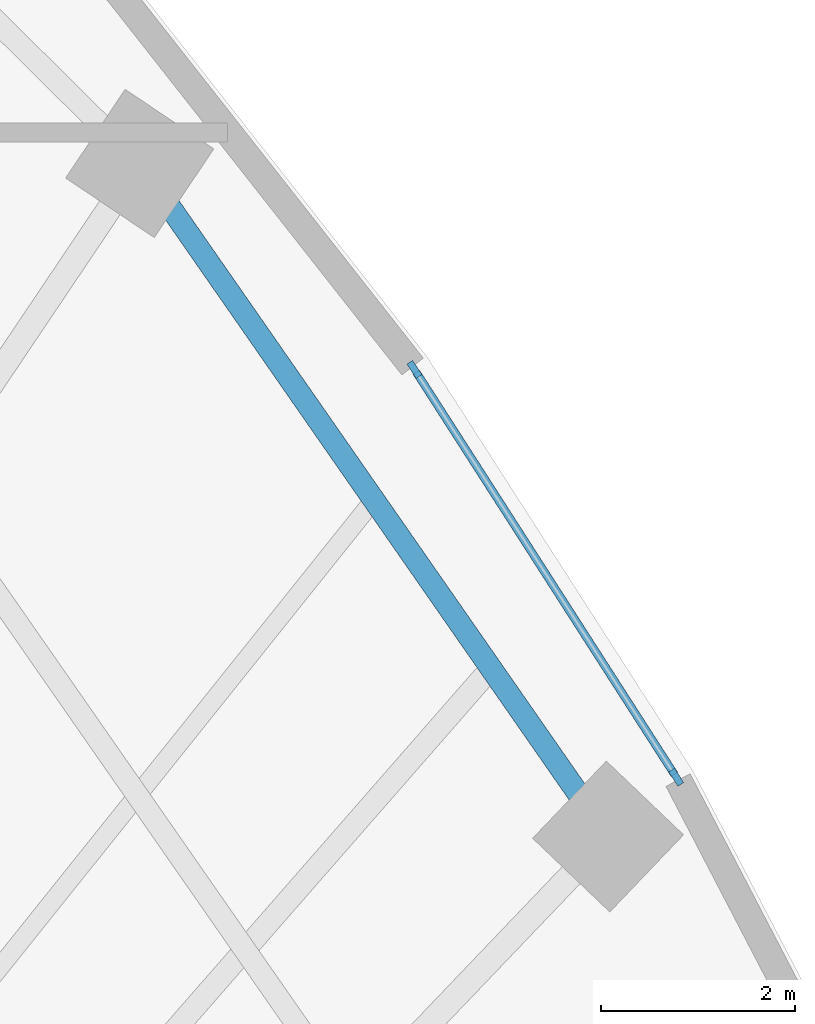
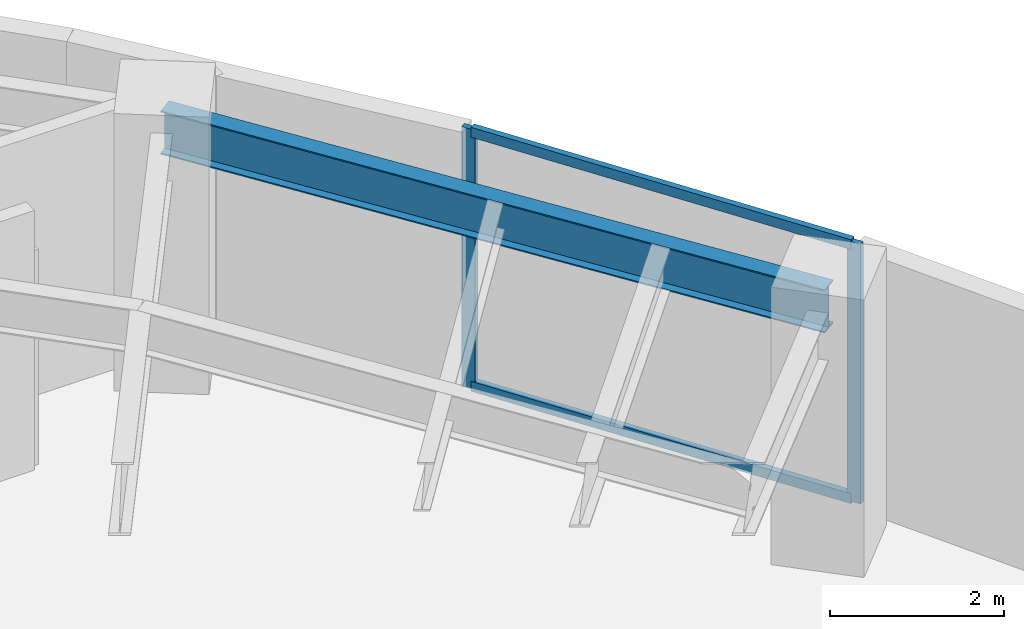
# One storey, part 6 of 13: 4 members, 1 beam, 1 element without a shape of its own.
"""IFC4 building model written with IfcOpenShell, lengths in metres."""

from ifc_helpers import new_model, si_unit, direction, frame, origin, origin_2d, place, context, subcontext, project, spatial, rectangle, i_section, extrude, source, transform, mapped, material, layer, layer_set, material_profile, profile_set, type_object, element, aggregate, save


model = new_model("IFC4")

# Units and contexts
model_context = context("Model", 3, precision=1e-05, world=origin(), true_north=direction((0.0, 1.0)))
body_context = subcontext(model_context, "Body", "Model", "MODEL_VIEW")
ifc_project = project(units=[si_unit("LENGTHUNIT", "METRE"), si_unit("AREAUNIT", "SQUARE_METRE"), si_unit("VOLUMEUNIT", "CUBIC_METRE"), si_unit("PLANEANGLEUNIT", "RADIAN"), si_unit("MASSUNIT", "GRAM", prefix="KILO")], contexts=[model_context])

# Site, building, storey
site_placement = place(None, origin())
site = spatial("IfcSite", under=ifc_project, at=site_placement, CompositionType="ELEMENT")
building_placement = place(site_placement, origin())
building = spatial("IfcBuilding", under=site, at=building_placement, Name="Breltana Convention Tower", CompositionType="ELEMENT")
storey_placement = place(building_placement, frame((0.0, 0.0, 158.39990234375)))
storey = spatial("IfcBuildingStorey", under=building, at=storey_placement, Name="L38", CompositionType="ELEMENT", Elevation=158.39990234375)

# Beam
ifc_material_1 = material(Name="Steel ASTM A992 Grade 50", Category="steel")
ifc_material_profile_1 = material_profile(ifc_material_1, i_section(OverallWidth=0.22802734375, OverallDepth=0.60791015625, WebThickness=0.01123046875, FlangeThickness=0.017333984375, at=origin_2d()), Name="W24X76")
ifc_profile_set_1 = profile_set([ifc_material_profile_1], Name="Steel ASTM A992 Grade 50")
beam_type = type_object("IfcBeamType", Name="BM-SP-W24X76", PredefinedType="SPANDREL", material=ifc_profile_set_1)
shared_shape_1 = source(origin(), body_context, "Body", "SweptSolid", [
    extrude(i_section(OverallWidth=0.22802734375, OverallDepth=0.60791015625, WebThickness=0.01123046875, FlangeThickness=0.017333984375, at=origin_2d()), origin(), (0.0, 0.0, 1.0), 8.44970703125),
])
beam_placement = place(storey_placement, frame((75.166748046875, 62.43017578125, 3.34619140625), z_axis=(0.5711855381, -0.820820979913, 0.0), x_axis=(0.820820979913, 0.5711855381, 0.0)))
element("IfcBeam", 1, at=beam_placement, inside=storey, type_object=beam_type, Name="L38 Outer Spandrel Beam 10", PredefinedType="SPANDREL", context=body_context, shape_type="MappedRepresentation", body=[
    mapped(shared_shape_1, transform((0.0, 0.0, 0.0), scale=1.0)),
])

# Curtain wall, members
ifc_material_2 = material(Name="Aluminium Anodised Bronze Frame", Category="aluminium")
ifc_layer = layer(ifc_material_2, 0.2099609375, Name="Aluminium Anodised Bronze Frame")
ifc_layer_set = layer_set([ifc_layer], Name="Aluminium Anodised Bronze Frame")
curtain_wall_type = type_object("IfcCurtainWallType", Name="CW-SYS-3", PredefinedType="NOTDEFINED", material=ifc_layer_set)
curtain_wall_placement = place(storey_placement, origin())
curtain_wall = element("IfcCurtainWall", 2, at=curtain_wall_placement, inside=storey, type_object=curtain_wall_type, Name="L38 outer double-skin inner glazing 5", PredefinedType="NOTDEFINED")
ifc_material_3 = material(Name="Aluminium Anodised Bronze", Category="aluminium")
ifc_material_profile_2 = material_profile(ifc_material_3, rectangle(XDim=0.070068359375, YDim=0.175048828125, at=origin_2d()), Name="CWM-70X175")
ifc_profile_set_2 = profile_set([ifc_material_profile_2], Name="Aluminium Anodised Bronze")
member_type_1 = type_object("IfcMemberType", Name="CWM-175", PredefinedType="MULLION", material=ifc_profile_set_2)
shared_shape_2 = source(origin(), body_context, "Body", "SweptSolid", [
    extrude(rectangle(XDim=0.070068359375, YDim=0.175048828125, at=origin_2d()), origin(), (0.0, 0.0, 1.0), 3.650146484375),
])
member_1_placement = place(storey_placement, frame((77.99755859375, 60.308349609375, 0.0), z_axis=(0.0, 0.0, 1.0), x_axis=(0.841554203529, 0.54017267843, 0.0)))
member_1 = element("IfcMember", 3, at=member_1_placement, type_object=member_type_1, Name="CW-03 mullion 1", PredefinedType="MULLION", context=body_context, shape_type="MappedRepresentation", body=[
    mapped(shared_shape_2, transform((0.0, 0.0, 0.0), scale=1.0)),
])
member_2_placement = place(storey_placement, frame((80.695556640625, 56.10498046875, 0.0), z_axis=(0.0, 0.0, 1.0), x_axis=(0.841554203529, 0.54017267843, 0.0)))
member_2 = element("IfcMember", 4, at=member_2_placement, type_object=member_type_1, Name="CW-03 mullion 2", PredefinedType="MULLION", context=body_context, shape_type="MappedRepresentation", body=[
    mapped(shared_shape_2, transform((0.0, 0.0, 0.0), scale=1.0)),
])
ifc_material_profile_3 = material_profile(ifc_material_3, rectangle(XDim=0.080078125, YDim=0.139892578125, at=origin_2d()), Name="CWT-80X140")
ifc_profile_set_3 = profile_set([ifc_material_profile_3], Name="Aluminium Anodised Bronze")
member_type_2 = type_object("IfcMemberType", Name="CWT-140", PredefinedType="USERDEFINED", material=ifc_profile_set_3)
shared_shape_3 = source(origin(), body_context, "Body", "SweptSolid", [
    extrude(rectangle(XDim=0.080078125, YDim=0.139892578125, at=origin_2d()), origin(), (0.0, 0.0, 1.0), 4.924560546875),
])
member_3_placement = place(storey_placement, frame((78.0166015625, 60.27880859375, 0.0400390625), z_axis=(0.540178660563, -0.841550363717, 0.0), x_axis=(0.841550363717, 0.540178660563, 0.0)))
member_3 = element("IfcMember", 5, at=member_3_placement, type_object=member_type_2, Name="CW-03 transom 1.1", ObjectType="TRANSOM", PredefinedType="USERDEFINED", context=body_context, shape_type="MappedRepresentation", body=[
    mapped(shared_shape_3, transform((0.0, 0.0, 0.0), scale=1.0)),
])
member_4_placement = place(storey_placement, frame((78.0166015625, 60.27880859375, 3.610107421875), z_axis=(0.540178660563, -0.841550363717, 0.0), x_axis=(0.841550363717, 0.540178660563, 0.0)))
member_4 = element("IfcMember", 6, at=member_4_placement, type_object=member_type_2, Name="CW-03 transom 1.2", ObjectType="TRANSOM", PredefinedType="USERDEFINED", context=body_context, shape_type="MappedRepresentation", body=[
    mapped(shared_shape_3, transform((0.0, 0.0, 0.0), scale=1.0)),
])
aggregate(curtain_wall, [member_1, member_2, member_3, member_4])

save(model, "model.ifc")
